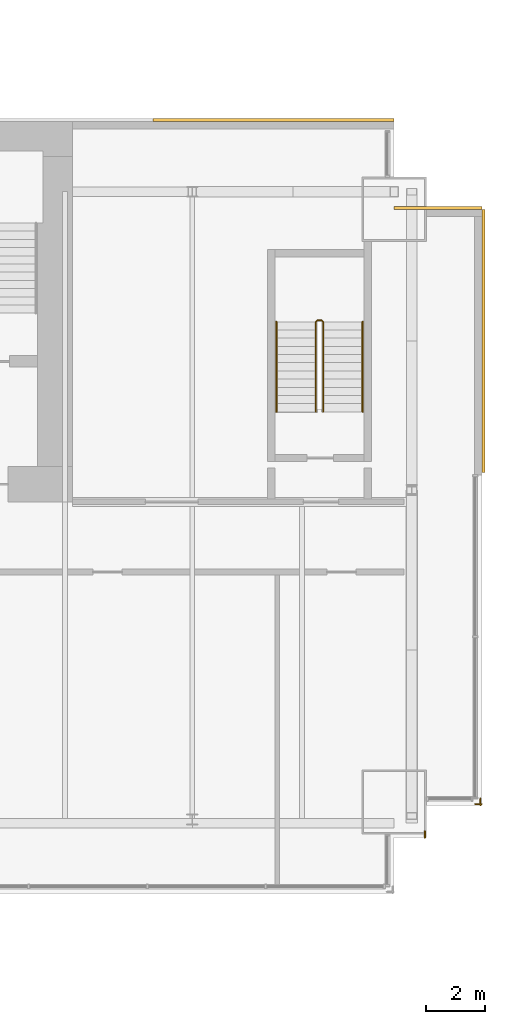
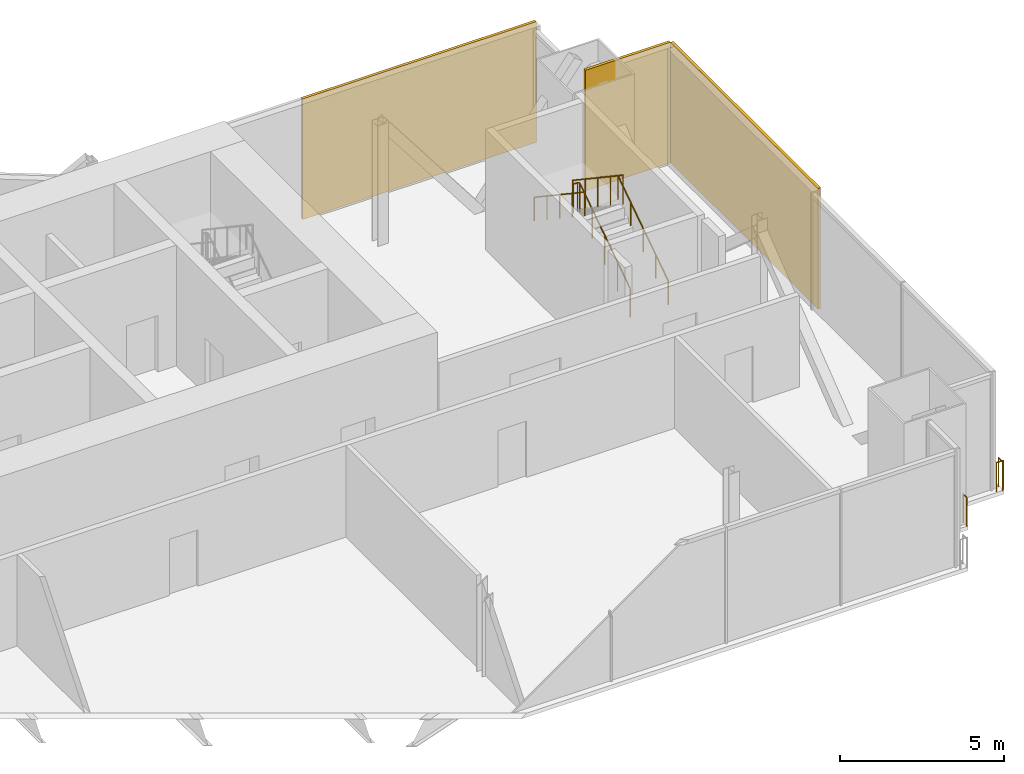
# One storey, part 18 of 18: 5 railings, 3 coverings.
"""IFC4 building model written with IfcOpenShell, lengths in metres."""

from ifc_helpers import new_model, si_unit, direction, frame, origin, origin_2d, place, context, subcontext, project, spatial, rectangle, circle, extrude, material, layer, layer_set, type_object, element, save


model = new_model("IFC4")

# Units and contexts
model_context = context("Model", 3, precision=1e-05, world=origin(), true_north=direction((0.0, 1.0)))
body_context = subcontext(model_context, "Body", "Model", "MODEL_VIEW")
ifc_project = project(units=[si_unit("LENGTHUNIT", "METRE"), si_unit("AREAUNIT", "SQUARE_METRE"), si_unit("VOLUMEUNIT", "CUBIC_METRE"), si_unit("PLANEANGLEUNIT", "RADIAN"), si_unit("MASSUNIT", "GRAM", prefix="KILO")], contexts=[model_context])

# Site, building, storey
site_placement = place(None, origin())
site = spatial("IfcSite", under=ifc_project, at=site_placement, CompositionType="ELEMENT")
building_placement = place(site_placement, origin())
building = spatial("IfcBuilding", under=site, at=building_placement, Name="Bicima Exchange Tower", CompositionType="ELEMENT")
storey_placement = place(building_placement, frame((0.0, 0.0, 311.0)))
storey = spatial("IfcBuildingStorey", under=building, at=storey_placement, Name="L70", CompositionType="ELEMENT", Elevation=311.0)

# Coverings
ifc_material_1 = material(Name="Bronze metal cladding")
ifc_layer_1 = layer(ifc_material_1, 0.004)
ifc_material_2 = material(Name="Ventilated cavity")
ifc_layer_2 = layer(ifc_material_2, 0.06)
ifc_material_3 = material(Name="Galvanised steel rail and mineral wool", Category="steel")
ifc_layer_3 = layer(ifc_material_3, 0.036)
ifc_layer_set = layer_set([ifc_layer_1, ifc_layer_2, ifc_layer_3], Name="Ventilated cavity")
covering_type = type_object("IfcCoveringType", Name="Bronze metal cladding panel 100", PredefinedType="CLADDING", material=ifc_layer_set)
covering_1_placement = place(storey_placement, frame((28.875, 0.050048828125, -0.14990234375), z_axis=(0.0, 0.0, 1.0), x_axis=(-1.0, 0.0, 0.0)))
element("IfcCovering", 1, at=covering_1_placement, inside=storey, type_object=covering_type, Name="Bronze cladding L70 1.1", PredefinedType="CLADDING", context=body_context, shape_type="SweptSolid", body=[
    extrude(rectangle(XDim=8.25, YDim=0.10009765625, at=origin_2d()), origin(), (0.0, 0.0, 1.0), 4.5),
])
covering_2_placement = place(storey_placement, frame((36.050048828125, -7.5, -0.14990234375), z_axis=(0.0, 0.0, 1.0), x_axis=(0.0, 1.0, 0.0)))
element("IfcCovering", 2, at=covering_2_placement, inside=storey, type_object=covering_type, Name="Bronze cladding L70 50.1", PredefinedType="CLADDING", context=body_context, shape_type="SweptSolid", body=[
    extrude(rectangle(XDim=9.0, YDim=0.10009765625, at=origin_2d()), origin(), (0.0, 0.0, 1.0), 4.5),
])
covering_3_placement = place(storey_placement, frame((34.5, -2.949951171875, -0.14990234375), z_axis=(0.0, 0.0, 1.0), x_axis=(-1.0, 0.0, 0.0)))
element("IfcCovering", 3, at=covering_3_placement, inside=storey, type_object=covering_type, Name="Bronze cladding L70 51.1", PredefinedType="CLADDING", context=body_context, shape_type="SweptSolid", body=[
    extrude(rectangle(XDim=3.0, YDim=0.10009765625, at=origin_2d()), origin(), (0.0, 0.0, 1.0), 4.5),
])

# Railings
ifc_material_4 = material(Name="Stainless steel and bonded safety glass", Category="steel")
railing_type_1 = type_object("IfcRailingType", Name="Edge guard 1100", PredefinedType="GUARDRAIL", material=ifc_material_4)
railing_1_placement = place(storey_placement, frame((35.949951171875, -23.135009765625, 0.0)))
element("IfcRailing", 4, at=railing_1_placement, inside=storey, type_object=railing_type_1, Name="Edge guard L70 362", PredefinedType="GUARDRAIL", context=body_context, shape_type="SweptSolid", body=[
    extrude(circle(Radius=0.02392578125, at=origin_2d()), frame((0.0, 0.0, 1.076171875), z_axis=(0.0, -1.0, 0.0), x_axis=(1.0, 0.0, 0.0)), (0.0, 0.0, 1.0), 0.2490234375),
    extrude(circle(Radius=0.02392578125, at=origin_2d()), frame((0.0, -0.2490234375, 1.076171875), z_axis=(0.707106781187, 0.707106781187, 0.0), x_axis=(-0.707106781187, 0.707106781187, 0.0)), (0.0, 0.0, 1.0), 0.07080078125),
    extrude(circle(Radius=0.02392578125, at=origin_2d()), frame((0.050048828125, -0.198974609375, 1.076171875), z_axis=(-1.0, 0.0, 0.0), x_axis=(0.0, -1.0, 0.0)), (0.0, 0.0, 1.0), 0.237060546875),
    extrude(circle(Radius=0.02099609375, at=origin_2d()), origin(), (0.0, 0.0, 1.0), 1.052001953125),
    extrude(circle(Radius=0.02099609375, at=origin_2d()), frame((0.0, -0.2490234375, 0.0)), (0.0, 0.0, 1.0), 1.052001953125),
    extrude(circle(Radius=0.02099609375, at=origin_2d()), frame((0.050048828125, -0.198974609375, 0.0)), (0.0, 0.0, 1.0), 1.052001953125),
    extrude(circle(Radius=0.02099609375, at=origin_2d()), frame((-0.18701171875, -0.198974609375, 0.0)), (0.0, 0.0, 1.0), 1.052001953125),
])
railing_2_placement = place(storey_placement, frame((34.050048828125, -24.263916015625, 0.0)))
element("IfcRailing", 5, at=railing_2_placement, inside=storey, type_object=railing_type_1, Name="Edge guard L70 363", PredefinedType="GUARDRAIL", context=body_context, shape_type="SweptSolid", body=[
    extrude(circle(Radius=0.02392578125, at=origin_2d()), frame((0.0, 0.0, 1.076171875), z_axis=(0.0, -1.0, 0.0), x_axis=(1.0, 0.0, 0.0)), (0.0, 0.0, 1.0), 0.219970703125),
    extrude(circle(Radius=0.02099609375, at=origin_2d()), origin(), (0.0, 0.0, 1.0), 1.052001953125),
    extrude(circle(Radius=0.02099609375, at=origin_2d()), frame((0.0, -0.219970703125, 0.0)), (0.0, 0.0, 1.0), 1.052001953125),
])
ifc_material_5 = material(Name="Stainless steel", Category="steel")
railing_type_2 = type_object("IfcRailingType", Name="Stair guard 1100", PredefinedType="GUARDRAIL", material=ifc_material_5)
railing_3_placement = place(storey_placement, frame((30.574951171875, -9.925048828125, 0.1875)))
element("IfcRailing", 6, at=railing_3_placement, inside=storey, type_object=railing_type_2, Name="L70 ST-EE stair guard 1", PredefinedType="GUARDRAIL", context=body_context, shape_type="SweptSolid", body=[
    extrude(circle(Radius=0.02392578125, at=origin_2d()), frame((0.0, 0.0, 1.076171875), z_axis=(0.0, 0.830913701846, 0.55640131208), x_axis=(-1.0, 0.0, 0.0)), (0.0, 0.0, 1.0), 3.706787109375),
    extrude(circle(Radius=0.02392578125, at=origin_2d()), frame((0.0, 3.080078125, 3.138671875), z_axis=(-0.707106781187, 0.707106781187, 0.0), x_axis=(-0.707106781187, -0.707106781187, 0.0)), (0.0, 0.0, 1.0), 0.07080078125),
    extrude(circle(Radius=0.02392578125, at=origin_2d()), frame((-0.050048828125, 3.130126953125, 3.138671875), z_axis=(-1.0, 0.0, 0.0), x_axis=(0.0, -1.0, 0.0)), (0.0, 0.0, 1.0), 0.14990234375),
    extrude(circle(Radius=0.02392578125, at=origin_2d()), frame((-0.199951171875, 3.130126953125, 3.138671875), z_axis=(-0.249726431254, -0.249726431254, 0.935560483917), x_axis=(0.707106781187, -0.707106781187, 0.0)), (0.0, 0.0, 1.0), 0.200439453125),
    extrude(circle(Radius=0.02392578125, at=origin_2d()), frame((-0.25, 3.080078125, 3.326171875), z_axis=(0.0, -0.830913701846, 0.55640131208), x_axis=(1.0, 0.0, 0.0)), (0.0, 0.0, 1.0), 3.706787109375),
    extrude(circle(Radius=0.02099609375, at=origin_2d()), origin(), (0.0, 0.0, 1.0), 1.052001953125),
    extrude(circle(Radius=0.02099609375, at=origin_2d()), frame((0.0, 0.77001953125, 0.515625)), (0.0, 0.0, 1.0), 1.052001953125),
    extrude(circle(Radius=0.02099609375, at=origin_2d()), frame((0.0, 1.5400390625, 1.03125)), (0.0, 0.0, 1.0), 1.052001953125),
    extrude(circle(Radius=0.02099609375, at=origin_2d()), frame((0.0, 2.31005859375, 1.546875)), (0.0, 0.0, 1.0), 1.052001953125),
    extrude(circle(Radius=0.02099609375, at=origin_2d()), frame((0.0, 3.080078125, 2.0625)), (0.0, 0.0, 1.0), 1.052001953125),
    extrude(circle(Radius=0.02099609375, at=origin_2d()), frame((-0.050048828125, 3.130126953125, 2.0625)), (0.0, 0.0, 1.0), 1.052001953125),
    extrude(circle(Radius=0.02099609375, at=origin_2d()), frame((-0.199951171875, 3.130126953125, 2.0625)), (0.0, 0.0, 1.0), 1.052001953125),
    extrude(circle(Radius=0.02099609375, at=origin_2d()), frame((-0.25, 3.080078125, 2.25)), (0.0, 0.0, 1.0), 1.052001953125),
    extrude(circle(Radius=0.02099609375, at=origin_2d()), frame((-0.25, 2.31005859375, 2.765625)), (0.0, 0.0, 1.0), 1.052001953125),
    extrude(circle(Radius=0.02099609375, at=origin_2d()), frame((-0.25, 1.5400390625, 3.28125)), (0.0, 0.0, 1.0), 1.052001953125),
    extrude(circle(Radius=0.02099609375, at=origin_2d()), frame((-0.25, 0.77001953125, 3.796875)), (0.0, 0.0, 1.0), 1.052001953125),
    extrude(circle(Radius=0.02099609375, at=origin_2d()), frame((-0.25, 0.0, 4.3125)), (0.0, 0.0, 1.0), 1.052001953125),
])
railing_type_3 = type_object("IfcRailingType", Name="Stair handrail 900", PredefinedType="HANDRAIL", material=ifc_material_5)
railing_4_placement = place(storey_placement, frame((31.925048828125, -9.925048828125, 0.1875)))
element("IfcRailing", 7, at=railing_4_placement, inside=storey, type_object=railing_type_3, Name="L70 ST-EE stair handrail 1", PredefinedType="HANDRAIL", context=body_context, shape_type="SweptSolid", body=[
    extrude(circle(Radius=0.02392578125, at=origin_2d()), frame((0.0, 0.0, 0.8759765625), z_axis=(0.0, 0.830913701846, 0.55640131208), x_axis=(-1.0, 0.0, 0.0)), (0.0, 0.0, 1.0), 3.706787109375),
    extrude(circle(Radius=0.02099609375, at=origin_2d()), origin(), (0.0, 0.0, 1.0), 0.851806640625),
    extrude(circle(Radius=0.02099609375, at=origin_2d()), frame((0.0, 0.77001953125, 0.515625)), (0.0, 0.0, 1.0), 0.851806640625),
    extrude(circle(Radius=0.02099609375, at=origin_2d()), frame((0.0, 1.5400390625, 1.03125)), (0.0, 0.0, 1.0), 0.851806640625),
    extrude(circle(Radius=0.02099609375, at=origin_2d()), frame((0.0, 2.31005859375, 1.546875)), (0.0, 0.0, 1.0), 0.851806640625),
    extrude(circle(Radius=0.02099609375, at=origin_2d()), frame((0.0, 3.080078125, 2.0625)), (0.0, 0.0, 1.0), 0.851806640625),
])
railing_5_placement = place(storey_placement, frame((28.97509765625, -6.844970703125, 2.47900390625)))
element("IfcRailing", 8, at=railing_5_placement, inside=storey, type_object=railing_type_3, Name="L70 ST-EE stair handrail 2", PredefinedType="HANDRAIL", context=body_context, shape_type="SweptSolid", body=[
    extrude(circle(Radius=0.02392578125, at=origin_2d()), frame((0.0, 0.0, 0.8759765625), z_axis=(0.0, -0.830913701846, 0.55640131208), x_axis=(1.0, 0.0, 0.0)), (0.0, 0.0, 1.0), 3.706787109375),
    extrude(circle(Radius=0.02099609375, at=origin_2d()), origin(), (0.0, 0.0, 1.0), 0.851806640625),
    extrude(circle(Radius=0.02099609375, at=origin_2d()), frame((0.0, -0.77001953125, 0.515625)), (0.0, 0.0, 1.0), 0.851806640625),
    extrude(circle(Radius=0.02099609375, at=origin_2d()), frame((0.0, -1.5400390625, 1.03125)), (0.0, 0.0, 1.0), 0.851806640625),
    extrude(circle(Radius=0.02099609375, at=origin_2d()), frame((0.0, -2.31005859375, 1.546875)), (0.0, 0.0, 1.0), 0.851806640625),
    extrude(circle(Radius=0.02099609375, at=origin_2d()), frame((0.0, -3.080078125, 2.0625)), (0.0, 0.0, 1.0), 0.851806640625),
])

save(model, "model.ifc")
